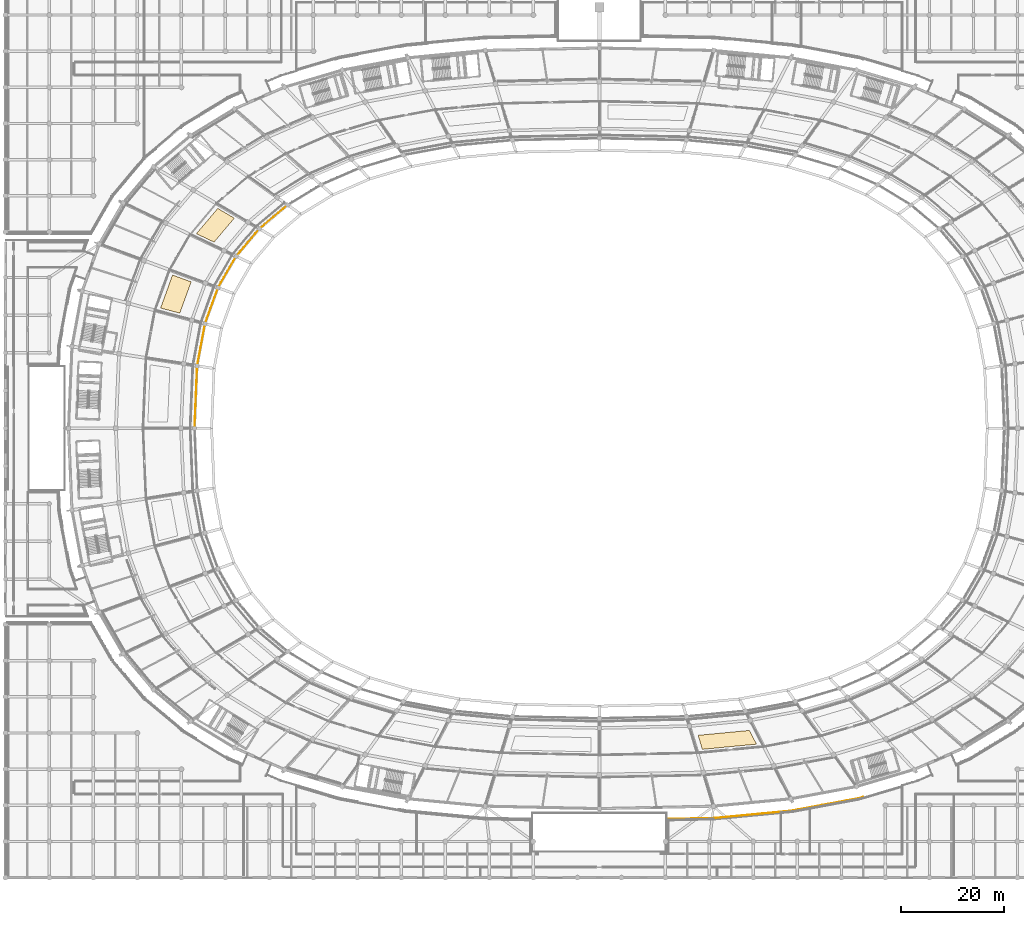
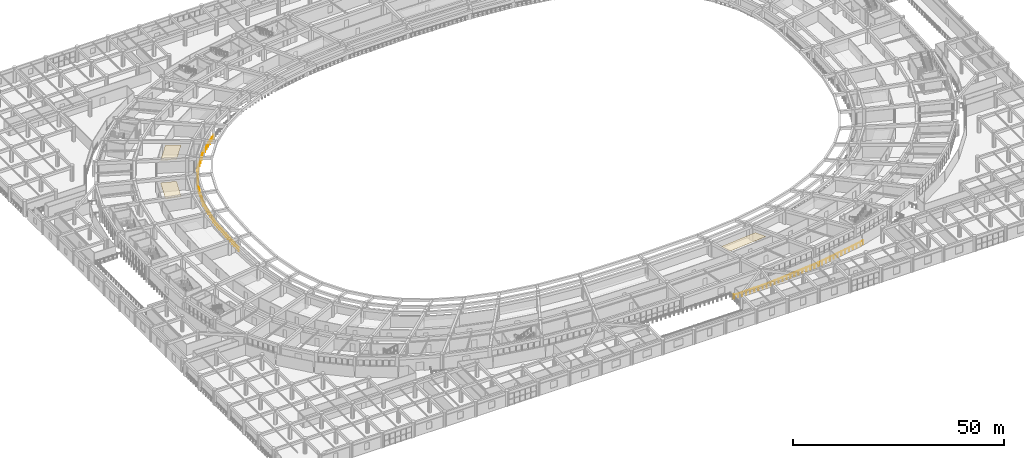
# One storey, part 128 of 145: 3 coverings, 2 railings.
"""IFC4 building model written with IfcOpenShell, lengths in metres."""

from ifc_helpers import new_model, si_unit, direction, frame, origin, origin_2d, place, context, subcontext, project, spatial, polyline, circle, outline, extrude, material, layer, layer_set, type_object, element, save


model = new_model("IFC4")

# Units and contexts
model_context = context("Model", 3, precision=1e-05, world=origin(), true_north=direction((0.0, 1.0)))
body_context = subcontext(model_context, "Body", "Model", "MODEL_VIEW")
ifc_project = project(units=[si_unit("LENGTHUNIT", "METRE"), si_unit("AREAUNIT", "SQUARE_METRE"), si_unit("VOLUMEUNIT", "CUBIC_METRE"), si_unit("PLANEANGLEUNIT", "RADIAN"), si_unit("MASSUNIT", "GRAM", prefix="KILO")], contexts=[model_context])

# Site, building, storey
site_placement = place(None, origin())
site = spatial("IfcSite", under=ifc_project, at=site_placement, CompositionType="ELEMENT")
building_placement = place(site_placement, origin())
building = spatial("IfcBuilding", under=site, at=building_placement, Name="Mphavela Belvedere Stadium", CompositionType="ELEMENT")
storey_placement = place(building_placement, frame((0.0, 0.0, 10.199951171875)))
storey = spatial("IfcBuildingStorey", under=building, at=storey_placement, Name="L02", CompositionType="ELEMENT", Elevation=10.199951171875)

# Coverings
ifc_material_1 = material(Name="Perforated acoustic mineral ceiling tile")
ifc_layer = layer(ifc_material_1, 0.0400390625)
ifc_layer_set = layer_set([ifc_layer], Name="Perforated acoustic mineral ceiling tile")
covering_type = type_object("IfcCoveringType", Name="COV-CEILING-ACOUSTIC", PredefinedType="CEILING", material=ifc_layer_set)
covering_1_placement = place(storey_placement, frame((0.0, 0.0, 3.199951171875)))
element("IfcCovering", 1, at=covering_1_placement, inside=storey, type_object=covering_type, Name="Concourse acoustic ceiling L02-20", PredefinedType="CEILING", context=body_context, shape_type="SweptSolid", body=[
    extrude(outline(polyline([(44.32080078125, 127.683349609375), (40.402099609375, 123.04248046875), (36.976806640625, 124.663818359375), (41.114990234375, 129.564453125), (44.32080078125, 127.683349609375)])), origin(), (0.0, 0.0, 1.0), 0.0400390625),
])
covering_2_placement = place(storey_placement, frame((0.0, 0.0, 3.199951171875)))
element("IfcCovering", 2, at=covering_2_placement, inside=storey, type_object=covering_type, Name="Concourse acoustic ceiling L02-22", PredefinedType="CEILING", context=body_context, shape_type="SweptSolid", body=[
    extrude(outline(polyline([(35.958984375, 115.344970703125), (33.762939453125, 109.291748046875), (30.043701171875, 110.278076171875), (32.362548828125, 116.669921875), (35.958984375, 115.344970703125)])), origin(), (0.0, 0.0, 1.0), 0.0400390625),
])
covering_3_placement = place(storey_placement, frame((0.0, 0.0, 3.199951171875)))
element("IfcCovering", 3, at=covering_3_placement, inside=storey, type_object=covering_type, Name="Concourse acoustic ceiling L02-38", PredefinedType="CEILING", context=body_context, shape_type="SweptSolid", body=[
    extrude(outline(polyline([(134.110595703125, 27.56298828125), (144.038818359375, 28.509765625), (145.41552734375, 25.8447265625), (134.931640625, 24.84521484375), (134.110595703125, 27.56298828125)])), origin(), (0.0, 0.0, 1.0), 0.0400390625),
])

# Railings
ifc_material_2 = material(Name="Bronze and laminated glass stadium balustrade", Category="glass")
railing_type = type_object("IfcRailingType", Name="RAL-BALUSTRADE-1120", PredefinedType="BALUSTRADE", material=ifc_material_2)
railing_1_placement = place(storey_placement, frame((54.66259765625, 130.2314453125, 0.0)))
element("IfcRailing", 4, at=railing_1_placement, inside=storey, type_object=railing_type, Name="Bowl safety balustrade l02_bowl S4", PredefinedType="BALUSTRADE", context=body_context, shape_type="SweptSolid", body=[
    extrude(circle(Radius=0.02392578125, at=origin_2d()), frame((0.0, 0.0, 1.09619140625), z_axis=(-0.76425683958, -0.644911996442, 0.0), x_axis=(0.644911996442, -0.76425683958, 0.0)), (0.0, 0.0, 1.0), 7.1640625),
    extrude(circle(Radius=0.02392578125, at=origin_2d()), frame((-5.47509765625, -4.6201171875, 1.09619140625), z_axis=(-0.645159025586, -0.764048317651, 0.0), x_axis=(0.764048317651, -0.645159025586, 0.0)), (0.0, 0.0, 1.0), 6.975830078125),
    extrude(circle(Radius=0.02392578125, at=origin_2d()), frame((-9.9755859375, -9.949951171875, 1.09619140625), z_axis=(-0.500559513075, -0.86570212768, 0.0), x_axis=(0.86570212768, -0.500559513075, 0.0)), (0.0, 0.0, 1.0), 7.02587890625),
    extrude(circle(Radius=0.02392578125, at=origin_2d()), frame((-13.492431640625, -16.0322265625, 1.09619140625), z_axis=(-0.341037858277, -0.940049562109, 0.0), x_axis=(0.940049562109, -0.341037858277, 0.0)), (0.0, 0.0, 1.0), 7.39501953125),
    extrude(circle(Radius=0.02392578125, at=origin_2d()), frame((-16.014404296875, -22.98388671875, 1.09619140625), z_axis=(-0.182638448973, -0.983180144712, 0.0), x_axis=(0.983180144712, -0.182638448973, 0.0)), (0.0, 0.0, 1.0), 8.30908203125),
    extrude(circle(Radius=0.02392578125, at=origin_2d()), frame((-17.531982421875, -31.1533203125, 1.09619140625), z_axis=(-0.041906072647, -0.999121554705, 0.0), x_axis=(0.999121554705, -0.041906072647, 0.0)), (0.0, 0.0, 1.0), 12.088623046875),
    extrude(circle(Radius=0.02099609375, at=origin_2d()), origin(), (0.0, 0.0, 1.0), 1.072021484375),
    extrude(circle(Radius=0.02099609375, at=origin_2d()), frame((-0.91259765625, -0.77001953125, 0.0)), (0.0, 0.0, 1.0), 1.072021484375),
    extrude(circle(Radius=0.02099609375, at=origin_2d()), frame((-1.824951171875, -1.5400390625, 0.0)), (0.0, 0.0, 1.0), 1.072021484375),
    extrude(circle(Radius=0.02099609375, at=origin_2d()), frame((-2.737548828125, -2.31005859375, 0.0)), (0.0, 0.0, 1.0), 1.072021484375),
    extrude(circle(Radius=0.02099609375, at=origin_2d()), frame((-3.650146484375, -3.080078125, 0.0)), (0.0, 0.0, 1.0), 1.072021484375),
    extrude(circle(Radius=0.02099609375, at=origin_2d()), frame((-4.5625, -3.85009765625, 0.0)), (0.0, 0.0, 1.0), 1.072021484375),
    extrude(circle(Radius=0.02099609375, at=origin_2d()), frame((-5.47509765625, -4.6201171875, 0.0)), (0.0, 0.0, 1.0), 1.072021484375),
    extrude(circle(Radius=0.02099609375, at=origin_2d()), frame((-6.22509765625, -5.50830078125, 0.0)), (0.0, 0.0, 1.0), 1.072021484375),
    extrude(circle(Radius=0.02099609375, at=origin_2d()), frame((-6.975341796875, -6.396728515625, 0.0)), (0.0, 0.0, 1.0), 1.072021484375),
    extrude(circle(Radius=0.02099609375, at=origin_2d()), frame((-7.725341796875, -7.28515625, 0.0)), (0.0, 0.0, 1.0), 1.072021484375),
    extrude(circle(Radius=0.02099609375, at=origin_2d()), frame((-8.475341796875, -8.17333984375, 0.0)), (0.0, 0.0, 1.0), 1.072021484375),
    extrude(circle(Radius=0.02099609375, at=origin_2d()), frame((-9.2255859375, -9.0615234375, 0.0)), (0.0, 0.0, 1.0), 1.072021484375),
    extrude(circle(Radius=0.02099609375, at=origin_2d()), frame((-9.9755859375, -9.949951171875, 0.0)), (0.0, 0.0, 1.0), 1.072021484375),
    extrude(circle(Radius=0.02099609375, at=origin_2d()), frame((-10.561767578125, -10.963623046875, 0.0)), (0.0, 0.0, 1.0), 1.072021484375),
    extrude(circle(Radius=0.02099609375, at=origin_2d()), frame((-11.14794921875, -11.977294921875, 0.0)), (0.0, 0.0, 1.0), 1.072021484375),
    extrude(circle(Radius=0.02099609375, at=origin_2d()), frame((-11.73388671875, -12.9912109375, 0.0)), (0.0, 0.0, 1.0), 1.072021484375),
    extrude(circle(Radius=0.02099609375, at=origin_2d()), frame((-12.320068359375, -14.0048828125, 0.0)), (0.0, 0.0, 1.0), 1.072021484375),
    extrude(circle(Radius=0.02099609375, at=origin_2d()), frame((-12.90625, -15.0185546875, 0.0)), (0.0, 0.0, 1.0), 1.072021484375),
    extrude(circle(Radius=0.02099609375, at=origin_2d()), frame((-13.492431640625, -16.0322265625, 0.0)), (0.0, 0.0, 1.0), 1.072021484375),
    extrude(circle(Radius=0.02099609375, at=origin_2d()), frame((-13.852783203125, -17.025390625, 0.0)), (0.0, 0.0, 1.0), 1.072021484375),
    extrude(circle(Radius=0.02099609375, at=origin_2d()), frame((-14.212890625, -18.018310546875, 0.0)), (0.0, 0.0, 1.0), 1.072021484375),
    extrude(circle(Radius=0.02099609375, at=origin_2d()), frame((-14.5732421875, -19.011474609375, 0.0)), (0.0, 0.0, 1.0), 1.072021484375),
    extrude(circle(Radius=0.02099609375, at=origin_2d()), frame((-14.93359375, -20.004638671875, 0.0)), (0.0, 0.0, 1.0), 1.072021484375),
    extrude(circle(Radius=0.02099609375, at=origin_2d()), frame((-15.2939453125, -20.997802734375, 0.0)), (0.0, 0.0, 1.0), 1.072021484375),
    extrude(circle(Radius=0.02099609375, at=origin_2d()), frame((-15.654052734375, -21.99072265625, 0.0)), (0.0, 0.0, 1.0), 1.072021484375),
    extrude(circle(Radius=0.02099609375, at=origin_2d()), frame((-16.014404296875, -22.98388671875, 0.0)), (0.0, 0.0, 1.0), 1.072021484375),
    extrude(circle(Radius=0.02099609375, at=origin_2d()), frame((-16.231201171875, -24.15087890625, 0.0)), (0.0, 0.0, 1.0), 1.072021484375),
    extrude(circle(Radius=0.02099609375, at=origin_2d()), frame((-16.447998046875, -25.318115234375, 0.0)), (0.0, 0.0, 1.0), 1.072021484375),
    extrude(circle(Radius=0.02099609375, at=origin_2d()), frame((-16.664794921875, -26.485107421875, 0.0)), (0.0, 0.0, 1.0), 1.072021484375),
    extrude(circle(Radius=0.02099609375, at=origin_2d()), frame((-16.881591796875, -27.652099609375, 0.0)), (0.0, 0.0, 1.0), 1.072021484375),
    extrude(circle(Radius=0.02099609375, at=origin_2d()), frame((-17.098388671875, -28.819091796875, 0.0)), (0.0, 0.0, 1.0), 1.072021484375),
    extrude(circle(Radius=0.02099609375, at=origin_2d()), frame((-17.315185546875, -29.986328125, 0.0)), (0.0, 0.0, 1.0), 1.072021484375),
    extrude(circle(Radius=0.02099609375, at=origin_2d()), frame((-17.531982421875, -31.1533203125, 0.0)), (0.0, 0.0, 1.0), 1.072021484375),
    extrude(circle(Radius=0.02099609375, at=origin_2d()), frame((-17.578125, -32.251220703125, 0.0)), (0.0, 0.0, 1.0), 1.072021484375),
    extrude(circle(Radius=0.02099609375, at=origin_2d()), frame((-17.6240234375, -33.349365234375, 0.0)), (0.0, 0.0, 1.0), 1.072021484375),
    extrude(circle(Radius=0.02099609375, at=origin_2d()), frame((-17.670166015625, -34.447265625, 0.0)), (0.0, 0.0, 1.0), 1.072021484375),
    extrude(circle(Radius=0.02099609375, at=origin_2d()), frame((-17.71630859375, -35.54541015625, 0.0)), (0.0, 0.0, 1.0), 1.072021484375),
    extrude(circle(Radius=0.02099609375, at=origin_2d()), frame((-17.76220703125, -36.643310546875, 0.0)), (0.0, 0.0, 1.0), 1.072021484375),
    extrude(circle(Radius=0.02099609375, at=origin_2d()), frame((-17.808349609375, -37.741455078125, 0.0)), (0.0, 0.0, 1.0), 1.072021484375),
    extrude(circle(Radius=0.02099609375, at=origin_2d()), frame((-17.854248046875, -38.83935546875, 0.0)), (0.0, 0.0, 1.0), 1.072021484375),
    extrude(circle(Radius=0.02099609375, at=origin_2d()), frame((-17.900390625, -39.9375, 0.0)), (0.0, 0.0, 1.0), 1.072021484375),
    extrude(circle(Radius=0.02099609375, at=origin_2d()), frame((-17.946533203125, -41.035400390625, 0.0)), (0.0, 0.0, 1.0), 1.072021484375),
    extrude(circle(Radius=0.02099609375, at=origin_2d()), frame((-17.992431640625, -42.133544921875, 0.0)), (0.0, 0.0, 1.0), 1.072021484375),
    extrude(circle(Radius=0.02099609375, at=origin_2d()), frame((-18.03857421875, -43.2314453125, 0.0)), (0.0, 0.0, 1.0), 1.072021484375),
])
railing_2_placement = place(storey_placement, frame((128.280029296875, 11.33544921875, 0.0)))
element("IfcRailing", 5, at=railing_2_placement, inside=storey, type_object=railing_type, Name="Peristyle wing gallery edge balustrade L02-05", PredefinedType="BALUSTRADE", context=body_context, shape_type="SweptSolid", body=[
    extrude(circle(Radius=0.02392578125, at=origin_2d()), frame((0.0, 0.0, 1.09619140625), z_axis=(0.999754122282, 0.022174196285, 0.0), x_axis=(-0.022174196285, 0.999754122282, 0.0)), (0.0, 0.0, 1.0), 9.05029296875),
    extrude(circle(Radius=0.02392578125, at=origin_2d()), frame((9.048095703125, 0.20068359375, 1.09619140625), z_axis=(0.995483637339, 0.094933280733, 0.0), x_axis=(-0.094933280733, 0.995483637339, 0.0)), (0.0, 0.0, 1.0), 15.029052734375),
    extrude(circle(Radius=0.02392578125, at=origin_2d()), frame((24.00927734375, 1.62744140625, 1.09619140625), z_axis=(0.983218910266, 0.18242964259, 0.0), x_axis=(-0.18242964259, 0.983218910266, 0.0)), (0.0, 0.0, 1.0), 13.14990234375),
    extrude(circle(Radius=0.02392578125, at=origin_2d()), frame((36.9384765625, 4.0263671875, 1.09619140625), z_axis=(0.962491054974, 0.271313414882, 0.0), x_axis=(-0.271313414882, 0.962491054974, 0.0)), (0.0, 0.0, 1.0), 0.908935546875),
    extrude(circle(Radius=0.02099609375, at=origin_2d()), origin(), (0.0, 0.0, 1.0), 1.072021484375),
    extrude(circle(Radius=0.02099609375, at=origin_2d()), frame((1.131103515625, 0.025146484375, 0.0)), (0.0, 0.0, 1.0), 1.072021484375),
    extrude(circle(Radius=0.02099609375, at=origin_2d()), frame((2.261962890625, 0.05029296875, 0.0)), (0.0, 0.0, 1.0), 1.072021484375),
    extrude(circle(Radius=0.02099609375, at=origin_2d()), frame((3.39306640625, 0.0751953125, 0.0)), (0.0, 0.0, 1.0), 1.072021484375),
    extrude(circle(Radius=0.02099609375, at=origin_2d()), frame((4.52392578125, 0.100341796875, 0.0)), (0.0, 0.0, 1.0), 1.072021484375),
    extrude(circle(Radius=0.02099609375, at=origin_2d()), frame((5.655029296875, 0.12548828125, 0.0)), (0.0, 0.0, 1.0), 1.072021484375),
    extrude(circle(Radius=0.02099609375, at=origin_2d()), frame((6.7861328125, 0.150390625, 0.0)), (0.0, 0.0, 1.0), 1.072021484375),
    extrude(circle(Radius=0.02099609375, at=origin_2d()), frame((7.9169921875, 0.175537109375, 0.0)), (0.0, 0.0, 1.0), 1.072021484375),
    extrude(circle(Radius=0.02099609375, at=origin_2d()), frame((9.048095703125, 0.20068359375, 0.0)), (0.0, 0.0, 1.0), 1.072021484375),
    extrude(circle(Radius=0.02099609375, at=origin_2d()), frame((10.198974609375, 0.310546875, 0.0)), (0.0, 0.0, 1.0), 1.072021484375),
    extrude(circle(Radius=0.02099609375, at=origin_2d()), frame((11.349853515625, 0.420166015625, 0.0)), (0.0, 0.0, 1.0), 1.072021484375),
    extrude(circle(Radius=0.02099609375, at=origin_2d()), frame((12.500732421875, 0.530029296875, 0.0)), (0.0, 0.0, 1.0), 1.072021484375),
    extrude(circle(Radius=0.02099609375, at=origin_2d()), frame((13.651611328125, 0.6396484375, 0.0)), (0.0, 0.0, 1.0), 1.072021484375),
    extrude(circle(Radius=0.02099609375, at=origin_2d()), frame((14.802490234375, 0.74951171875, 0.0)), (0.0, 0.0, 1.0), 1.072021484375),
    extrude(circle(Radius=0.02099609375, at=origin_2d()), frame((15.953369140625, 0.859130859375, 0.0)), (0.0, 0.0, 1.0), 1.072021484375),
    extrude(circle(Radius=0.02099609375, at=origin_2d()), frame((17.10400390625, 0.968994140625, 0.0)), (0.0, 0.0, 1.0), 1.072021484375),
    extrude(circle(Radius=0.02099609375, at=origin_2d()), frame((18.2548828125, 1.07861328125, 0.0)), (0.0, 0.0, 1.0), 1.072021484375),
    extrude(circle(Radius=0.02099609375, at=origin_2d()), frame((19.40576171875, 1.1884765625, 0.0)), (0.0, 0.0, 1.0), 1.072021484375),
    extrude(circle(Radius=0.02099609375, at=origin_2d()), frame((20.556640625, 1.298095703125, 0.0)), (0.0, 0.0, 1.0), 1.072021484375),
    extrude(circle(Radius=0.02099609375, at=origin_2d()), frame((21.70751953125, 1.407958984375, 0.0)), (0.0, 0.0, 1.0), 1.072021484375),
    extrude(circle(Radius=0.02099609375, at=origin_2d()), frame((22.8583984375, 1.517578125, 0.0)), (0.0, 0.0, 1.0), 1.072021484375),
    extrude(circle(Radius=0.02099609375, at=origin_2d()), frame((24.00927734375, 1.62744140625, 0.0)), (0.0, 0.0, 1.0), 1.072021484375),
    extrude(circle(Radius=0.02099609375, at=origin_2d()), frame((25.1845703125, 1.845458984375, 0.0)), (0.0, 0.0, 1.0), 1.072021484375),
    extrude(circle(Radius=0.02099609375, at=origin_2d()), frame((26.360107421875, 2.063720703125, 0.0)), (0.0, 0.0, 1.0), 1.072021484375),
    extrude(circle(Radius=0.02099609375, at=origin_2d()), frame((27.535400390625, 2.28173828125, 0.0)), (0.0, 0.0, 1.0), 1.072021484375),
    extrude(circle(Radius=0.02099609375, at=origin_2d()), frame((28.710693359375, 2.499755859375, 0.0)), (0.0, 0.0, 1.0), 1.072021484375),
    extrude(circle(Radius=0.02099609375, at=origin_2d()), frame((29.88623046875, 2.7177734375, 0.0)), (0.0, 0.0, 1.0), 1.072021484375),
    extrude(circle(Radius=0.02099609375, at=origin_2d()), frame((31.0615234375, 2.93603515625, 0.0)), (0.0, 0.0, 1.0), 1.072021484375),
    extrude(circle(Radius=0.02099609375, at=origin_2d()), frame((32.237060546875, 3.154052734375, 0.0)), (0.0, 0.0, 1.0), 1.072021484375),
    extrude(circle(Radius=0.02099609375, at=origin_2d()), frame((33.412353515625, 3.3720703125, 0.0)), (0.0, 0.0, 1.0), 1.072021484375),
    extrude(circle(Radius=0.02099609375, at=origin_2d()), frame((34.587646484375, 3.590087890625, 0.0)), (0.0, 0.0, 1.0), 1.072021484375),
    extrude(circle(Radius=0.02099609375, at=origin_2d()), frame((35.76318359375, 3.808349609375, 0.0)), (0.0, 0.0, 1.0), 1.072021484375),
    extrude(circle(Radius=0.02099609375, at=origin_2d()), frame((36.9384765625, 4.0263671875, 0.0)), (0.0, 0.0, 1.0), 1.072021484375),
    extrude(circle(Radius=0.02099609375, at=origin_2d()), frame((37.813232421875, 4.27294921875, 0.0)), (0.0, 0.0, 1.0), 1.072021484375),
])

save(model, "model.ifc")
